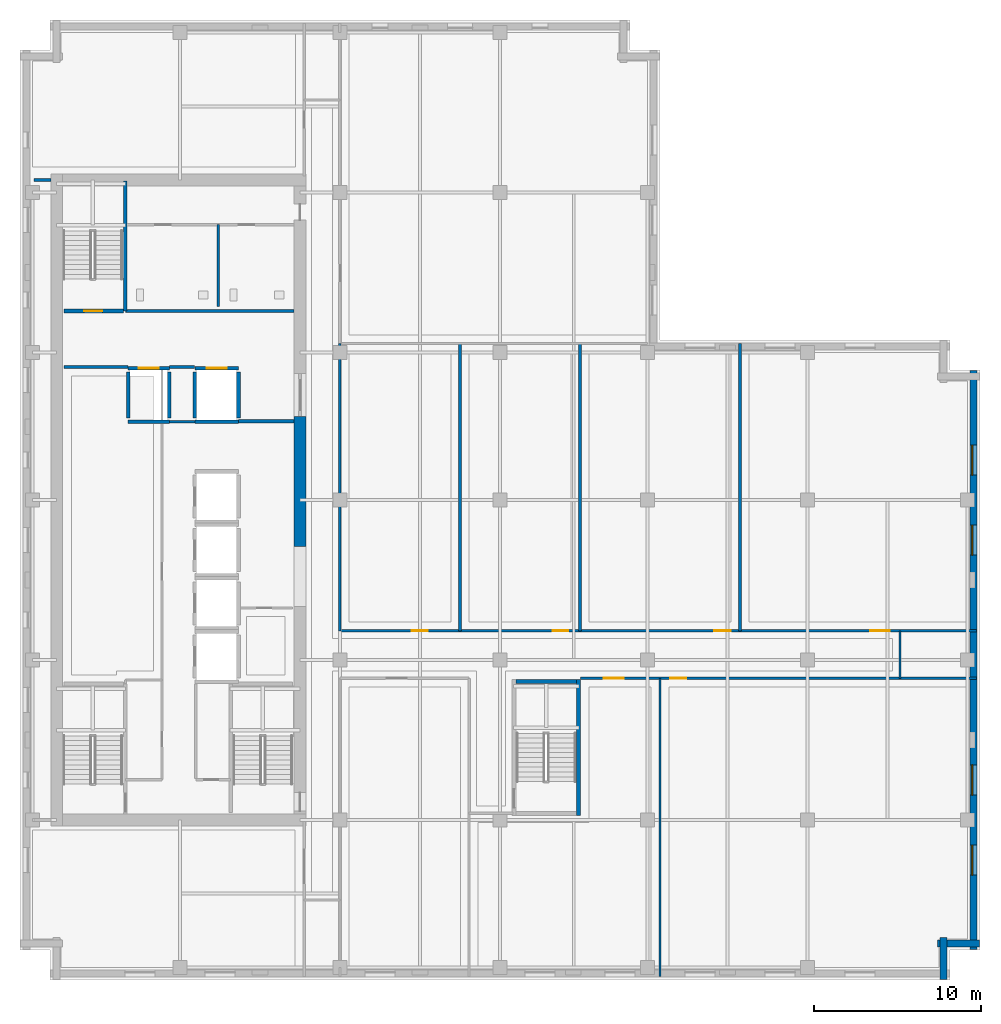
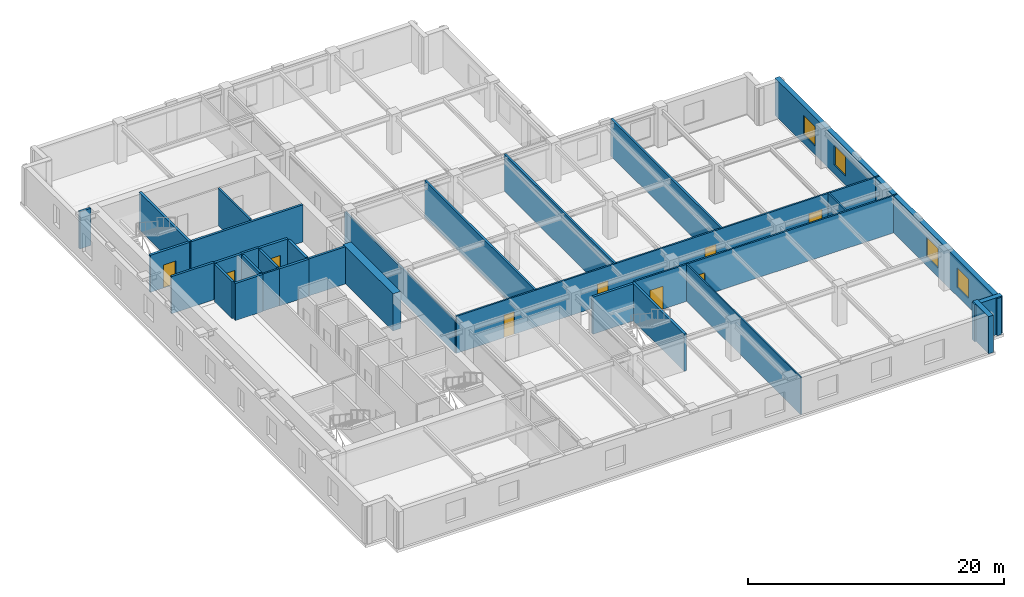
# One storey, part 5 of 11: 31 walls, 9 doors, 4 windows, 13 openings.
"""IFC4 building model written with IfcOpenShell, lengths in metres."""

from ifc_helpers import new_model, si_unit, direction, frame, frame_2d, origin, place, context, subcontext, project, spatial, rectangle, extrude, material, layer, layer_set, type_object, element, fill, save


model = new_model("IFC4")

# Units and contexts
model_context = context("Model", 3, precision=1e-05, world=origin(), true_north=direction((0.0, 1.0)))
body_context = subcontext(model_context, "Body", "Model", "MODEL_VIEW")
ifc_project = project(units=[si_unit("LENGTHUNIT", "METRE"), si_unit("AREAUNIT", "SQUARE_METRE"), si_unit("VOLUMEUNIT", "CUBIC_METRE"), si_unit("PLANEANGLEUNIT", "RADIAN"), si_unit("MASSUNIT", "GRAM", prefix="KILO")], contexts=[model_context])

# Site, building, storey
site_placement = place(None, origin())
site = spatial("IfcSite", under=ifc_project, at=site_placement, CompositionType="ELEMENT")
building_placement = place(site_placement, origin())
building = spatial("IfcBuilding", under=site, at=building_placement, Name="Norrvale University Quadrangle", CompositionType="ELEMENT")
storey_placement = place(building_placement, frame((0.0, 0.0, 202.800048828125)))
storey = spatial("IfcBuildingStorey", under=building, at=storey_placement, Name="L51", CompositionType="ELEMENT", Elevation=202.800048828125)

# Walls
ifc_material_1 = material(Name="Buff Norman Clay Brick Masonry", Category="masonry")
ifc_layer_1 = layer(ifc_material_1, 0.419921875, Name="Buff Norman Clay Brick Masonry")
ifc_layer_set_1 = layer_set([ifc_layer_1], Name="Buff Norman Clay Brick Masonry")
wall_type_1 = type_object("IfcWallType", Name="Wall Buff Brick 420", PredefinedType="SOLIDWALL", material=ifc_layer_set_1)
for number, where, z_axis, x_axis, name in (
    (1, (55.409912109375, 0.0400390625, 0.0), (0.0, 0.0, 1.0), (0.0, 1.0, 0.0), "Exterior Brick Facade Wall L51-02.1"),
    (2, (55.06005859375, 2.18994140625, 0.0), (0.0, 0.0, 1.0), (1.0, 0.0, 0.0), "Exterior Brick Facade Wall L51-03.1"),
):
    element("IfcWall", number, at=place(storey_placement, frame(where, z_axis=z_axis, x_axis=x_axis)), inside=storey, type_object=wall_type_1, Name=name, PredefinedType="SOLIDWALL", context=body_context, shape_type="SweptSolid", body=[
        extrude(rectangle(XDim=2.5, YDim=0.419921875, at=frame_2d((1.25, 0.0))), origin(), (0.0, 0.0, 1.0), 3.5400390625),
    ])

# Wall, openings, windows
wall_1_placement = place(storey_placement, frame((57.2099609375, 1.840087890625, 0.0), z_axis=(0.0, 0.0, 1.0), x_axis=(0.0, 1.0, 0.0)))
wall_1 = element("IfcWall", 3, at=wall_1_placement, inside=storey, type_object=wall_type_1, Name="Exterior Brick Facade Wall L51-04.1", PredefinedType="SOLIDWALL", context=body_context, shape_type="SweptSolid", body=[
    extrude(rectangle(XDim=34.719970703125, YDim=0.419921875, at=frame_2d((17.35986328125, 0.0))), origin(), (0.0, 0.0, 1.0), 3.5400390625),
])
opening_1_placement = place(wall_1_placement, frame((4.4599609375, 0.0, 0.85009765625)))
opening_1 = element("IfcOpeningElement", 4, at=opening_1_placement, cuts=wall_1, Name="Opening W01", PredefinedType="OPENING", context=body_context, shape_type="SweptSolid", body=[
    extrude(rectangle(XDim=1.800048828125, YDim=1.85009765625, at=frame_2d((0.89990234375, 0.925048828125))), frame((0.0, 0.221923828125, 0.0), z_axis=(0.0, -1.0, 0.0), x_axis=(1.0, 0.0, 0.0)), (0.0, 0.0, 1.0), 0.44384765625),
])
opening_2_placement = place(wall_1_placement, frame((9.260009765625, 0.0, 0.85009765625)))
opening_2 = element("IfcOpeningElement", 5, at=opening_2_placement, cuts=wall_1, Name="Opening W01", PredefinedType="OPENING", context=body_context, shape_type="SweptSolid", body=[
    extrude(rectangle(XDim=1.800048828125, YDim=1.85009765625, at=frame_2d((0.89990234375, 0.925048828125))), frame((0.0, 0.221923828125, 0.0), z_axis=(0.0, -1.0, 0.0), x_axis=(1.0, 0.0, 0.0)), (0.0, 0.0, 1.0), 0.44384765625),
])
opening_3_placement = place(wall_1_placement, frame((23.659912109375, 0.0, 0.85009765625)))
opening_3 = element("IfcOpeningElement", 6, at=opening_3_placement, cuts=wall_1, Name="Opening W01", PredefinedType="OPENING", context=body_context, shape_type="SweptSolid", body=[
    extrude(rectangle(XDim=1.800048828125, YDim=1.85009765625, at=frame_2d((0.89990234375, 0.925048828125))), frame((0.0, 0.221923828125, 0.0), z_axis=(0.0, -1.0, 0.0), x_axis=(1.0, 0.0, 0.0)), (0.0, 0.0, 1.0), 0.44384765625),
])
opening_4_placement = place(wall_1_placement, frame((28.4599609375, 0.0, 0.85009765625)))
opening_4 = element("IfcOpeningElement", 7, at=opening_4_placement, cuts=wall_1, Name="Opening W01", PredefinedType="OPENING", context=body_context, shape_type="SweptSolid", body=[
    extrude(rectangle(XDim=1.800048828125, YDim=1.85009765625, at=frame_2d((0.89990234375, 0.925048828125))), frame((0.0, 0.221923828125, 0.0), z_axis=(0.0, -1.0, 0.0), x_axis=(1.0, 0.0, 0.0)), (0.0, 0.0, 1.0), 0.44384765625),
])
ifc_material_2 = material(Name="Triple Low-E Argon Glazing", Category="glass")
window_type = type_object("IfcWindowType", Name="Window Academic 1800x2300", PartitioningType="DOUBLE_PANEL_VERTICAL", PredefinedType="WINDOW", material=ifc_material_2)
window_1_placement = place(opening_1_placement, origin())
window_1 = element("IfcWindow", 8, at=window_1_placement, inside=storey, type_object=window_type, Name="Window Academic 1800x2300 WIN-L51-E04-1-01", OverallHeight=1.85009765625, OverallWidth=1.800048828125, PartitioningType="DOUBLE_PANEL_VERTICAL", PredefinedType="WINDOW", context=body_context, shape_type="SweptSolid", body=[
    extrude(rectangle(XDim=1.800048828125, YDim=1.85009765625, at=frame_2d((0.89990234375, 0.925048828125))), frame((0.0, 0.110107421875, 0.0), z_axis=(0.0, -1.0, 0.0), x_axis=(1.0, 0.0, 0.0)), (0.0, 0.0, 1.0), 0.06005859375),
])
fill(opening_1, window_1)
window_2_placement = place(opening_2_placement, origin())
window_2 = element("IfcWindow", 9, at=window_2_placement, inside=storey, type_object=window_type, Name="Window Academic 1800x2300 WIN-L51-E04-1-02", OverallHeight=1.85009765625, OverallWidth=1.800048828125, PartitioningType="DOUBLE_PANEL_VERTICAL", PredefinedType="WINDOW", context=body_context, shape_type="SweptSolid", body=[
    extrude(rectangle(XDim=1.800048828125, YDim=1.85009765625, at=frame_2d((0.89990234375, 0.925048828125))), frame((0.0, 0.110107421875, 0.0), z_axis=(0.0, -1.0, 0.0), x_axis=(1.0, 0.0, 0.0)), (0.0, 0.0, 1.0), 0.06005859375),
])
fill(opening_2, window_2)
window_3_placement = place(opening_3_placement, origin())
window_3 = element("IfcWindow", 10, at=window_3_placement, inside=storey, type_object=window_type, Name="Window Academic 1800x2300 WIN-L51-E04-1-03", OverallHeight=1.85009765625, OverallWidth=1.800048828125, PartitioningType="DOUBLE_PANEL_VERTICAL", PredefinedType="WINDOW", context=body_context, shape_type="SweptSolid", body=[
    extrude(rectangle(XDim=1.800048828125, YDim=1.85009765625, at=frame_2d((0.89990234375, 0.925048828125))), frame((0.0, 0.110107421875, 0.0), z_axis=(0.0, -1.0, 0.0), x_axis=(1.0, 0.0, 0.0)), (0.0, 0.0, 1.0), 0.06005859375),
])
fill(opening_3, window_3)
window_4_placement = place(opening_4_placement, origin())
window_4 = element("IfcWindow", 11, at=window_4_placement, inside=storey, type_object=window_type, Name="Window Academic 1800x2300 WIN-L51-E04-1-04", OverallHeight=1.85009765625, OverallWidth=1.800048828125, PartitioningType="DOUBLE_PANEL_VERTICAL", PredefinedType="WINDOW", context=body_context, shape_type="SweptSolid", body=[
    extrude(rectangle(XDim=1.800048828125, YDim=1.85009765625, at=frame_2d((0.89990234375, 0.925048828125))), frame((0.0, 0.110107421875, 0.0), z_axis=(0.0, -1.0, 0.0), x_axis=(1.0, 0.0, 0.0)), (0.0, 0.0, 1.0), 0.06005859375),
])
fill(opening_4, window_4)

# Walls
ifc_material_3 = material(Name="Concrete C60/75", Category="concrete")
ifc_layer_2 = layer(ifc_material_3, 0.699951171875, Name="Concrete C60/75")
ifc_layer_set_2 = layer_set([ifc_layer_2], Name="Concrete C60/75")
wall_type_2 = type_object("IfcWallType", Name="Wall Core 700", PredefinedType="SHEAR", material=ifc_layer_set_2)
wall_2_placement = place(storey_placement, frame((16.800048828125, 26.0, 0.0), z_axis=(0.0, 0.0, 1.0), x_axis=(0.0, 1.0, 0.0)))
element("IfcWall", 12, at=wall_2_placement, inside=storey, type_object=wall_type_2, Name="Tower Core Shear Wall L51-E2", PredefinedType="SHEAR", context=body_context, shape_type="SweptSolid", body=[
    extrude(rectangle(XDim=7.800048828125, YDim=0.699951171875, at=frame_2d((3.89990234375, 0.0))), origin(), (0.0, 0.0, 1.0), 3.5400390625),
])
ifc_material_4 = material(Name="Standard Academic Gypsum Partition")
ifc_layer_3 = layer(ifc_material_4, 0.125, Name="Standard Academic Gypsum Partition")
ifc_layer_set_3 = layer_set([ifc_layer_3], Name="Standard Academic Gypsum Partition")
wall_type_3 = type_object("IfcWallType", Name="Wall Gypsum Academic 125", PredefinedType="PARTITIONING", material=ifc_layer_set_3)
wall_3_placement = place(storey_placement, frame((38.39990234375, 0.219970703125, 0.0), z_axis=(0.0, 0.0, 1.0), x_axis=(0.0, 1.0, 0.0)))
element("IfcWall", 13, at=wall_3_placement, inside=storey, type_object=wall_type_3, Name="Interior Partition WL-L51-SEP2", PredefinedType="PARTITIONING", context=body_context, shape_type="SweptSolid", body=[
    extrude(rectangle(XDim=17.880126953125, YDim=0.125, at=frame_2d((8.93994140625, 0.0))), origin(), (0.0, 0.0, 1.0), 3.5400390625),
])
ifc_material_5 = material(Name="Fire-Rated Gypsum Stud Partition")
ifc_layer_4 = layer(ifc_material_5, 0.14990234375, Name="Fire-Rated Gypsum Stud Partition")
ifc_layer_set_4 = layer_set([ifc_layer_4], Name="Fire-Rated Gypsum Stud Partition")
wall_type_4 = type_object("IfcWallType", Name="Wall Gypsum Corridor 150", PredefinedType="PARTITIONING", material=ifc_layer_set_4)
wall_4_placement = place(storey_placement, frame((8.965087890625, 33.489990234375, 0.0), z_axis=(0.0, 0.0, 1.0), x_axis=(1.0, 0.0, 0.0)))
element("IfcWall", 14, at=wall_4_placement, inside=storey, type_object=wall_type_4, Name="Interior Partition WL-L51-LL3", PredefinedType="PARTITIONING", context=body_context, shape_type="SweptSolid", body=[
    extrude(rectangle(XDim=1.52001953125, YDim=0.14990234375, at=frame_2d((0.760009765625, 0.0))), origin(), (0.0, 0.0, 1.0), 3.5400390625),
])
wall_5_placement = place(storey_placement, frame((52.800048828125, 18.10009765625, 0.0), z_axis=(0.0, 0.0, 1.0), x_axis=(0.0, 1.0, 0.0)))
element("IfcWall", 15, at=wall_5_placement, inside=storey, type_object=wall_type_4, Name="Interior Partition WL-L51-CESP-E", PredefinedType="PARTITIONING", context=body_context, shape_type="SweptSolid", body=[
    extrude(rectangle(XDim=2.849853515625, YDim=0.14990234375, at=frame_2d((1.4248046875, 0.0))), origin(), (0.0, 0.0, 1.0), 3.5400390625),
])

# Wall, openings, doors
wall_6_placement = place(storey_placement, frame((33.6201171875, 18.10009765625, 0.0), z_axis=(0.0, 0.0, 1.0), x_axis=(1.0, 0.0, 0.0)))
wall_6 = element("IfcWall", 16, at=wall_6_placement, inside=storey, type_object=wall_type_4, Name="Interior Partition WL-L51-SEW2", PredefinedType="PARTITIONING", context=body_context, shape_type="SweptSolid", body=[
    extrude(rectangle(XDim=23.759765625, YDim=0.14990234375, at=frame_2d((11.8798828125, 0.0))), origin(), (0.0, 0.0, 1.0), 3.5400390625),
])
opening_5_placement = place(wall_6_placement, frame((1.39990234375, 0.0, 0.0)))
opening_5 = element("IfcOpeningElement", 17, at=opening_5_placement, cuts=wall_6, Name="Opening D05", PredefinedType="OPENING", context=body_context, shape_type="SweptSolid", body=[
    extrude(rectangle(XDim=1.199951171875, YDim=2.199951171875, at=frame_2d((0.60009765625, 1.10009765625))), frame((0.0, 0.0869140625, 0.0), z_axis=(0.0, -1.0, 0.0), x_axis=(1.0, 0.0, 0.0)), (0.0, 0.0, 1.0), 0.173828125),
])
opening_6_placement = place(wall_6_placement, frame((5.39990234375, 0.0, 0.0)))
opening_6 = element("IfcOpeningElement", 18, at=opening_6_placement, cuts=wall_6, Name="Opening D07", PredefinedType="OPENING", context=body_context, shape_type="SweptSolid", body=[
    extrude(rectangle(XDim=0.949951171875, YDim=2.14990234375, at=frame_2d((0.47509765625, 1.074951171875))), frame((0.0, 0.0869140625, 0.0), z_axis=(0.0, -1.0, 0.0), x_axis=(1.0, 0.0, 0.0)), (0.0, 0.0, 1.0), 0.173828125),
])
ifc_material_6 = material(Name="Acoustic Oak Classroom Door", Category="wood")
door_type_1 = type_object("IfcDoorType", Name="Door Classroom 1200x2200", OperationType="NOTDEFINED", PredefinedType="DOOR", material=ifc_material_6)
door_1_placement = place(opening_5_placement, origin())
door_1 = element("IfcDoor", 19, at=door_1_placement, inside=storey, type_object=door_type_1, Name="Door Classroom 1200x2200 DR-L51-SE2", OperationType="SINGLE_SWING_RIGHT", OverallHeight=2.199951171875, OverallWidth=1.199951171875, PredefinedType="DOOR", context=body_context, shape_type="SweptSolid", body=[
    extrude(rectangle(XDim=1.199951171875, YDim=2.199951171875, at=frame_2d((0.60009765625, 1.10009765625))), frame((0.0, 0.02490234375, 0.0), z_axis=(0.0, -1.0, 0.0), x_axis=(1.0, 0.0, 0.0)), (0.0, 0.0, 1.0), 0.050048828125),
])
fill(opening_5, door_1)
ifc_material_7 = material(Name="Solid-Core Maple Door", Category="wood")
door_type_2 = type_object("IfcDoorType", Name="Door Office 950x2150", OperationType="NOTDEFINED", PredefinedType="DOOR", material=ifc_material_7)
door_2_placement = place(opening_6_placement, origin())
door_2 = element("IfcDoor", 20, at=door_2_placement, inside=storey, type_object=door_type_2, Name="Door Office 950x2150 DR-L51-SE3", OperationType="SINGLE_SWING_LEFT", OverallHeight=2.14990234375, OverallWidth=0.949951171875, PredefinedType="DOOR", context=body_context, shape_type="SweptSolid", body=[
    extrude(rectangle(XDim=0.949951171875, YDim=2.14990234375, at=frame_2d((0.47509765625, 1.074951171875))), frame((0.0, 0.02490234375, 0.0), z_axis=(0.0, -1.0, 0.0), x_axis=(1.0, 0.0, 0.0)), (0.0, 0.0, 1.0), 0.050048828125),
])
fill(opening_6, door_2)

wall_7_placement = place(storey_placement, frame((19.199951171875, 20.949951171875, 0.0), z_axis=(0.0, 0.0, 1.0), x_axis=(1.0, 0.0, 0.0)))
wall_7 = element("IfcWall", 21, at=wall_7_placement, inside=storey, type_object=wall_type_4, Name="Interior Partition WL-L51-MECW", PredefinedType="PARTITIONING", context=body_context, shape_type="SweptSolid", body=[
    extrude(rectangle(XDim=38.179931640625, YDim=0.14990234375, at=frame_2d((19.08984375, 0.0))), origin(), (0.0, 0.0, 1.0), 3.5400390625),
])
opening_7_placement = place(wall_7_placement, frame((4.300048828125, 0.0, 0.0)))
opening_7 = element("IfcOpeningElement", 22, at=opening_7_placement, cuts=wall_7, Name="Opening D07", PredefinedType="OPENING", context=body_context, shape_type="SweptSolid", body=[
    extrude(rectangle(XDim=0.949951171875, YDim=2.14990234375, at=frame_2d((0.47509765625, 1.074951171875))), frame((0.0, 0.0869140625, 0.0), z_axis=(0.0, -1.0, 0.0), x_axis=(1.0, 0.0, 0.0)), (0.0, 0.0, 1.0), 0.173828125),
])
opening_8_placement = place(wall_7_placement, frame((12.75, 0.0, 0.0)))
opening_8 = element("IfcOpeningElement", 23, at=opening_8_placement, cuts=wall_7, Name="Opening D07", PredefinedType="OPENING", context=body_context, shape_type="SweptSolid", body=[
    extrude(rectangle(XDim=0.949951171875, YDim=2.14990234375, at=frame_2d((0.47509765625, 1.074951171875))), frame((0.0, 0.0869140625, 0.0), z_axis=(0.0, -1.0, 0.0), x_axis=(1.0, 0.0, 0.0)), (0.0, 0.0, 1.0), 0.173828125),
])
opening_9_placement = place(wall_7_placement, frame((22.449951171875, 0.0, 0.0)))
opening_9 = element("IfcOpeningElement", 24, at=opening_9_placement, cuts=wall_7, Name="Opening D04", PredefinedType="OPENING", context=body_context, shape_type="SweptSolid", body=[
    extrude(rectangle(XDim=1.0, YDim=2.199951171875, at=frame_2d((0.5, 1.10009765625))), frame((0.0, 0.0869140625, 0.0), z_axis=(0.0, -1.0, 0.0), x_axis=(1.0, 0.0, 0.0)), (0.0, 0.0, 1.0), 0.173828125),
])
opening_10_placement = place(wall_7_placement, frame((31.800048828125, 0.0, 0.0)))
opening_10 = element("IfcOpeningElement", 25, at=opening_10_placement, cuts=wall_7, Name="Opening D05", PredefinedType="OPENING", context=body_context, shape_type="SweptSolid", body=[
    extrude(rectangle(XDim=1.199951171875, YDim=2.199951171875, at=frame_2d((0.60009765625, 1.10009765625))), frame((0.0, 0.0869140625, 0.0), z_axis=(0.0, -1.0, 0.0), x_axis=(1.0, 0.0, 0.0)), (0.0, 0.0, 1.0), 0.173828125),
])
door_3_placement = place(opening_10_placement, origin())
door_3 = element("IfcDoor", 26, at=door_3_placement, inside=storey, type_object=door_type_1, Name="Door Classroom 1200x2200 DR-L51-ME04", OperationType="SINGLE_SWING_RIGHT", OverallHeight=2.199951171875, OverallWidth=1.199951171875, PredefinedType="DOOR", context=body_context, shape_type="SweptSolid", body=[
    extrude(rectangle(XDim=1.199951171875, YDim=2.199951171875, at=frame_2d((0.60009765625, 1.10009765625))), frame((0.0, 0.02490234375, 0.0), z_axis=(0.0, -1.0, 0.0), x_axis=(1.0, 0.0, 0.0)), (0.0, 0.0, 1.0), 0.050048828125),
])
fill(opening_10, door_3)
ifc_material_8 = material(Name="Solid-Core Oak Fire Door", Category="wood")
door_type_3 = type_object("IfcDoorType", Name="Door Corridor 1000x2200", OperationType="NOTDEFINED", PredefinedType="DOOR", material=ifc_material_8)
door_4_placement = place(opening_9_placement, origin())
door_4 = element("IfcDoor", 27, at=door_4_placement, inside=storey, type_object=door_type_3, Name="Door Corridor 1000x2200 DR-L51-ME03", OperationType="SINGLE_SWING_LEFT", OverallHeight=2.199951171875, OverallWidth=1.0, PredefinedType="DOOR", context=body_context, shape_type="SweptSolid", body=[
    extrude(rectangle(XDim=1.0, YDim=2.199951171875, at=frame_2d((0.5, 1.10009765625))), frame((0.0, 0.02490234375, 0.0), z_axis=(0.0, -1.0, 0.0), x_axis=(1.0, 0.0, 0.0)), (0.0, 0.0, 1.0), 0.050048828125),
])
fill(opening_9, door_4)
door_5_placement = place(opening_7_placement, origin())
door_5 = element("IfcDoor", 28, at=door_5_placement, inside=storey, type_object=door_type_2, Name="Door Office 950x2150 DR-L51-ME01", OperationType="SINGLE_SWING_LEFT", OverallHeight=2.14990234375, OverallWidth=0.949951171875, PredefinedType="DOOR", context=body_context, shape_type="SweptSolid", body=[
    extrude(rectangle(XDim=0.949951171875, YDim=2.14990234375, at=frame_2d((0.47509765625, 1.074951171875))), frame((0.0, 0.02490234375, 0.0), z_axis=(0.0, -1.0, 0.0), x_axis=(1.0, 0.0, 0.0)), (0.0, 0.0, 1.0), 0.050048828125),
])
fill(opening_7, door_5)
door_6_placement = place(opening_8_placement, origin())
door_6 = element("IfcDoor", 29, at=door_6_placement, inside=storey, type_object=door_type_2, Name="Door Office 950x2150 DR-L51-ME02", OperationType="SINGLE_SWING_RIGHT", OverallHeight=2.14990234375, OverallWidth=0.949951171875, PredefinedType="DOOR", context=body_context, shape_type="SweptSolid", body=[
    extrude(rectangle(XDim=0.949951171875, YDim=2.14990234375, at=frame_2d((0.47509765625, 1.074951171875))), frame((0.0, 0.02490234375, 0.0), z_axis=(0.0, -1.0, 0.0), x_axis=(1.0, 0.0, 0.0)), (0.0, 0.0, 1.0), 0.050048828125),
])
fill(opening_8, door_6)

# Walls
wall_8_placement = place(storey_placement, frame((19.199951171875, 20.949951171875, 0.0), z_axis=(0.0, 0.0, 1.0), x_axis=(0.0, 1.0, 0.0)))
element("IfcWall", 30, at=wall_8_placement, inside=storey, type_object=wall_type_4, Name="Interior Partition WL-L51-ME-W", PredefinedType="PARTITIONING", context=body_context, shape_type="SweptSolid", body=[
    extrude(rectangle(XDim=17.22998046875, YDim=0.14990234375, at=frame_2d((8.614990234375, 0.0))), origin(), (0.0, 0.0, 1.0), 3.071044921875),
])
ifc_material_9 = material(Name="Acoustic Double-Stud Gypsum Partition")
ifc_layer_5 = layer(ifc_material_9, 0.179931640625, Name="Acoustic Double-Stud Gypsum Partition")
ifc_layer_set_5 = layer_set([ifc_layer_5], Name="Acoustic Double-Stud Gypsum Partition")
wall_type_5 = type_object("IfcWallType", Name="Wall Gypsum Lecture 180", PredefinedType="PARTITIONING", material=ifc_layer_set_5)
for number, where, z_axis, x_axis, name in (
    (31, (26.39990234375, 20.949951171875, 0.0), (0.0, 0.0, 1.0), (0.0, 1.0, 0.0), "Interior Partition WL-L51-MEP01"),
    (32, (33.60009765625, 20.949951171875, 0.0), (0.0, 0.0, 1.0), (0.0, 1.0, 0.0), "Interior Partition WL-L51-MEP02"),
    (33, (43.199951171875, 20.949951171875, 0.0), (0.0, 0.0, 1.0), (0.0, 1.0, 0.0), "Interior Partition WL-L51-MEP03"),
):
    element("IfcWall", number, at=place(storey_placement, frame(where, z_axis=z_axis, x_axis=x_axis)), inside=storey, type_object=wall_type_5, Name=name, PredefinedType="PARTITIONING", context=body_context, shape_type="SweptSolid", body=[
        extrude(rectangle(XDim=17.22998046875, YDim=0.179931640625, at=frame_2d((8.614990234375, 0.0))), origin(), (0.0, 0.0, 1.0), 3.5400390625),
    ])
ifc_material_10 = material(Name="Sanitary Chase Gypsum Partition")
ifc_layer_6 = layer(ifc_material_10, 0.1650390625, Name="Sanitary Chase Gypsum Partition")
ifc_layer_set_6 = layer_set([ifc_layer_6], Name="Sanitary Chase Gypsum Partition")
wall_type_6 = type_object("IfcWallType", Name="Wall Gypsum Sanitary 165", PredefinedType="PLUMBINGWALL", material=ifc_layer_set_6)
wall_9_placement = place(storey_placement, frame((11.89990234375, 40.39990234375, 0.0), z_axis=(0.0, 0.0, 1.0), x_axis=(0.0, 1.0, 0.0)))
element("IfcWall", 34, at=wall_9_placement, inside=storey, type_object=wall_type_6, Name="Interior Partition WL-L51-WCM1", PredefinedType="PLUMBINGWALL", context=body_context, shape_type="SweptSolid", body=[
    extrude(rectangle(XDim=4.920166015625, YDim=0.1650390625, at=frame_2d((2.4599609375, 0.0))), origin(), (0.0, 0.0, 1.0), 3.5400390625),
])
ifc_material_11 = material(Name="Concrete Blockwork 20 MPa Rated Wall", Category="masonry")
ifc_layer_7 = layer(ifc_material_11, 0.199951171875, Name="Concrete Blockwork 20 MPa Rated Wall")
ifc_layer_set_7 = layer_set([ifc_layer_7], Name="Concrete Blockwork 20 MPa Rated Wall")
wall_type_7 = type_object("IfcWallType", Name="Wall Lobby 200", PredefinedType="SOLIDWALL", material=ifc_layer_set_7)
wall_10_placement = place(storey_placement, frame((2.64990234375, 36.780029296875, 0.0), z_axis=(0.0, 0.0, 1.0), x_axis=(1.0, 0.0, 0.0)))
element("IfcWall", 35, at=wall_10_placement, inside=storey, type_object=wall_type_7, Name="Interior Partition WL-L51-FF1", PredefinedType="SOLIDWALL", context=body_context, shape_type="SweptSolid", body=[
    extrude(rectangle(XDim=3.830078125, YDim=0.199951171875, at=frame_2d((1.9150390625, 0.0))), origin(), (0.0, 0.0, 1.0), 3.5400390625),
])
wall_11_placement = place(storey_placement, frame((8.969970703125, 36.780029296875, 0.0), z_axis=(0.0, 0.0, 1.0), x_axis=(1.0, 0.0, 0.0)))
element("IfcWall", 36, at=wall_11_placement, inside=storey, type_object=wall_type_7, Name="Interior Partition WL-L51-FF2", PredefinedType="SOLIDWALL", context=body_context, shape_type="SweptSolid", body=[
    extrude(rectangle(XDim=1.510009765625, YDim=0.199951171875, at=frame_2d((0.7548828125, 0.0))), origin(), (0.0, 0.0, 1.0), 3.5400390625),
])
wall_12_placement = place(storey_placement, frame((13.1201171875, 33.52001953125, 0.0), z_axis=(0.0, 0.0, 1.0), x_axis=(1.0, 0.0, 0.0)))
element("IfcWall", 37, at=wall_12_placement, inside=storey, type_object=wall_type_7, Name="Interior Partition WL-L51-FF3", PredefinedType="SOLIDWALL", context=body_context, shape_type="SweptSolid", body=[
    extrude(rectangle(XDim=3.329833984375, YDim=0.199951171875, at=frame_2d((1.6650390625, 0.0))), origin(), (0.0, 0.0, 1.0), 3.5400390625),
])
wall_13_placement = place(storey_placement, frame((6.320068359375, 40.139892578125, 0.0), z_axis=(0.0, 0.0, 1.0), x_axis=(1.0, 0.0, 0.0)))
element("IfcWall", 38, at=wall_13_placement, inside=storey, type_object=wall_type_7, Name="Interior Partition WL-L51-FF4", PredefinedType="SOLIDWALL", context=body_context, shape_type="SweptSolid", body=[
    extrude(rectangle(XDim=10.1298828125, YDim=0.199951171875, at=frame_2d((5.06494140625, 0.0))), origin(), (0.0, 0.0, 1.0), 3.5400390625),
])
wall_14_placement = place(storey_placement, frame((0.85009765625, 48.0, 0.0), z_axis=(0.0, 0.0, 1.0), x_axis=(1.0, 0.0, 0.0)))
element("IfcWall", 39, at=wall_14_placement, inside=storey, type_object=wall_type_7, Name="Interior Partition WL-L51-CWRET-N", PredefinedType="SOLIDWALL", context=body_context, shape_type="SweptSolid", body=[
    extrude(rectangle(XDim=0.994873046875, YDim=0.199951171875, at=frame_2d((0.49755859375, 0.0))), origin(), (0.0, 0.0, 1.0), 3.5400390625),
])

# Wall, opening, door
ifc_material_12 = material(Name="Concrete Blockwork 20 MPa Fire Shaft", Category="masonry")
ifc_layer_8 = layer(ifc_material_12, 0.219970703125, Name="Concrete Blockwork 20 MPa Fire Shaft")
ifc_layer_set_8 = layer_set([ifc_layer_8], Name="Concrete Blockwork 20 MPa Fire Shaft")
wall_type_8 = type_object("IfcWallType", Name="Wall Shaft 220", PredefinedType="SOLIDWALL", material=ifc_layer_set_8)
wall_15_placement = place(storey_placement, frame((2.64990234375, 40.139892578125, 0.0), z_axis=(0.0, 0.0, 1.0), x_axis=(1.0, 0.0, 0.0)))
wall_15 = element("IfcWall", 40, at=wall_15_placement, inside=storey, type_object=wall_type_8, Name="Stair ST-02 South Shaft Wall L51", PredefinedType="SOLIDWALL", context=body_context, shape_type="SweptSolid", body=[
    extrude(rectangle(XDim=3.550048828125, YDim=0.219970703125, at=frame_2d((1.77490234375, 0.0))), origin(), (0.0, 0.0, 1.0), 3.5400390625),
])
opening_11_placement = place(wall_15_placement, frame((1.199951171875, 0.0, 0.0)))
opening_11 = element("IfcOpeningElement", 41, at=opening_11_placement, cuts=wall_15, Name="Opening D02", PredefinedType="OPENING", context=body_context, shape_type="SweptSolid", body=[
    extrude(rectangle(XDim=1.10009765625, YDim=2.199951171875, at=frame_2d((0.550048828125, 1.10009765625))), frame((0.0, 0.1220703125, 0.0), z_axis=(0.0, -1.0, 0.0), x_axis=(1.0, 0.0, 0.0)), (0.0, 0.0, 1.0), 0.243896484375),
])
ifc_material_13 = material(Name="Hollow Steel 350W Fire Door", Category="steel")
door_type_4 = type_object("IfcDoorType", Name="Door Stair Exit 1100x2200", OperationType="NOTDEFINED", PredefinedType="DOOR", material=ifc_material_13)
door_7_placement = place(opening_11_placement, origin())
door_7 = element("IfcDoor", 42, at=door_7_placement, inside=storey, type_object=door_type_4, Name="Door Stair Exit 1100x2200 DR-L51-ST02", OperationType="SINGLE_SWING_LEFT", OverallHeight=2.199951171875, OverallWidth=1.10009765625, PredefinedType="DOOR", context=body_context, shape_type="SweptSolid", body=[
    extrude(rectangle(XDim=1.10009765625, YDim=2.199951171875, at=frame_2d((0.550048828125, 1.10009765625))), frame((0.0, 0.02490234375, 0.0), z_axis=(0.0, -1.0, 0.0), x_axis=(1.0, 0.0, 0.0)), (0.0, 0.0, 1.0), 0.050048828125),
])
fill(opening_11, door_7)

# Walls
wall_16_placement = place(storey_placement, frame((6.31005859375, 40.139892578125, 0.0), z_axis=(0.0, 0.0, 1.0), x_axis=(0.0, 1.0, 0.0)))
element("IfcWall", 43, at=wall_16_placement, inside=storey, type_object=wall_type_8, Name="Stair ST-02 East Shaft Wall L51", PredefinedType="SOLIDWALL", context=body_context, shape_type="SweptSolid", body=[
    extrude(rectangle(XDim=7.81005859375, YDim=0.219970703125, at=frame_2d((3.905029296875, 0.0))), origin(), (0.0, 0.0, 1.0), 3.5400390625),
])
wall_17_placement = place(storey_placement, frame((33.510009765625, 9.8798828125, 0.0), z_axis=(0.0, 0.0, 1.0), x_axis=(0.0, 1.0, 0.0)))
element("IfcWall", 44, at=wall_17_placement, inside=storey, type_object=wall_type_8, Name="Stair ST-04 East Shaft Wall L51", PredefinedType="SOLIDWALL", context=body_context, shape_type="SweptSolid", body=[
    extrude(rectangle(XDim=8.14013671875, YDim=0.219970703125, at=frame_2d((4.070068359375, 0.0))), origin(), (0.0, 0.0, 1.0), 3.5400390625),
])
wall_18_placement = place(storey_placement, frame((29.75, 17.909912109375, 0.0), z_axis=(0.0, 0.0, 1.0), x_axis=(1.0, 0.0, 0.0)))
element("IfcWall", 45, at=wall_18_placement, inside=storey, type_object=wall_type_8, Name="Stair ST-04 North Shaft Wall L51", PredefinedType="SOLIDWALL", context=body_context, shape_type="SweptSolid", body=[
    extrude(rectangle(XDim=3.64990234375, YDim=0.219970703125, at=frame_2d((1.824951171875, 0.0))), origin(), (0.0, 0.0, 1.0), 3.5400390625),
])
for number, where, z_axis, x_axis, name in (
    (46, (6.489990234375, 33.7099609375, 0.0), (0.0, 0.0, 1.0), (0.0, 1.0, 0.0), "Hoistway FFL-01 West Wall L51"),
    (47, (8.9599609375, 33.7099609375, 0.0), (0.0, 0.0, 1.0), (0.0, 1.0, 0.0), "Hoistway FFL-01 East Wall L51"),
):
    element("IfcWall", number, at=place(storey_placement, frame(where, z_axis=z_axis, x_axis=x_axis)), inside=storey, type_object=wall_type_8, Name=name, PredefinedType="SOLIDWALL", context=body_context, shape_type="SweptSolid", body=[
        extrude(rectangle(XDim=2.780029296875, YDim=0.219970703125, at=frame_2d((1.39013671875, 0.0))), origin(), (0.0, 0.0, 1.0), 3.5400390625),
    ])
wall_19_placement = place(storey_placement, frame((6.489990234375, 33.489990234375, 0.0), z_axis=(0.0, 0.0, 1.0), x_axis=(1.0, 0.0, 0.0)))
element("IfcWall", 48, at=wall_19_placement, inside=storey, type_object=wall_type_8, Name="Hoistway FFL-01 South Wall L51", PredefinedType="SOLIDWALL", context=body_context, shape_type="SweptSolid", body=[
    extrude(rectangle(XDim=2.469970703125, YDim=0.219970703125, at=frame_2d((1.23486328125, 0.0))), origin(), (0.0, 0.0, 1.0), 3.5400390625),
])

# Wall, opening, door
wall_20_placement = place(storey_placement, frame((6.489990234375, 36.7099609375, 0.0), z_axis=(0.0, 0.0, 1.0), x_axis=(1.0, 0.0, 0.0)))
wall_20 = element("IfcWall", 49, at=wall_20_placement, inside=storey, type_object=wall_type_8, Name="Hoistway FFL-01 North Wall L51", PredefinedType="SOLIDWALL", context=body_context, shape_type="SweptSolid", body=[
    extrude(rectangle(XDim=2.469970703125, YDim=0.219970703125, at=frame_2d((1.23486328125, 0.0))), origin(), (0.0, 0.0, 1.0), 3.5400390625),
])
opening_12_placement = place(wall_20_placement, frame((0.635009765625, 0.0, 0.0)))
opening_12 = element("IfcOpeningElement", 50, at=opening_12_placement, cuts=wall_20, Name="Opening LD2", PredefinedType="OPENING", context=body_context, shape_type="SweptSolid", body=[
    extrude(rectangle(XDim=1.199951171875, YDim=2.199951171875, at=frame_2d((0.60009765625, 1.10009765625))), frame((0.0, 0.1220703125, 0.0), z_axis=(0.0, -1.0, 0.0), x_axis=(1.0, 0.0, 0.0)), (0.0, 0.0, 1.0), 0.243896484375),
])
ifc_material_14 = material(Name="Stainless Steel 316L Firefighter Lift Door", Category="steel")
door_type_5 = type_object("IfcDoorType", Name="Door Fire Lift 1200x2200", OperationType="DOUBLE_DOOR_SLIDING", PredefinedType="DOOR", material=ifc_material_14)
door_8_placement = place(opening_12_placement, origin())
door_8 = element("IfcDoor", 51, at=door_8_placement, inside=storey, type_object=door_type_5, Name="Elevator Landing Door DR-L51-FFL-01", OperationType="DOUBLE_DOOR_SLIDING", OverallHeight=2.199951171875, OverallWidth=1.199951171875, PredefinedType="DOOR", context=body_context, shape_type="SweptSolid", body=[
    extrude(rectangle(XDim=1.199951171875, YDim=2.199951171875, at=frame_2d((0.60009765625, 1.10009765625))), frame((0.0, 0.02490234375, 0.0), z_axis=(0.0, -1.0, 0.0), x_axis=(1.0, 0.0, 0.0)), (0.0, 0.0, 1.0), 0.050048828125),
])
fill(opening_12, door_8)

# Walls
for number, where, z_axis, x_axis, name in (
    (52, (10.489990234375, 33.7099609375, 0.0), (0.0, 0.0, 1.0), (0.0, 1.0, 0.0), "Hoistway FFL-02 West Wall L51"),
    (53, (13.110107421875, 33.7099609375, 0.0), (0.0, 0.0, 1.0), (0.0, 1.0, 0.0), "Hoistway FFL-02 East Wall L51"),
):
    element("IfcWall", number, at=place(storey_placement, frame(where, z_axis=z_axis, x_axis=x_axis)), inside=storey, type_object=wall_type_8, Name=name, PredefinedType="SOLIDWALL", context=body_context, shape_type="SweptSolid", body=[
        extrude(rectangle(XDim=2.780029296875, YDim=0.219970703125, at=frame_2d((1.39013671875, 0.0))), origin(), (0.0, 0.0, 1.0), 3.5400390625),
    ])
wall_21_placement = place(storey_placement, frame((10.489990234375, 33.489990234375, 0.0), z_axis=(0.0, 0.0, 1.0), x_axis=(1.0, 0.0, 0.0)))
element("IfcWall", 54, at=wall_21_placement, inside=storey, type_object=wall_type_8, Name="Hoistway FFL-02 South Wall L51", PredefinedType="SOLIDWALL", context=body_context, shape_type="SweptSolid", body=[
    extrude(rectangle(XDim=2.6201171875, YDim=0.219970703125, at=frame_2d((1.31005859375, 0.0))), origin(), (0.0, 0.0, 1.0), 3.5400390625),
])

# Wall, opening, door
wall_22_placement = place(storey_placement, frame((10.489990234375, 36.7099609375, 0.0), z_axis=(0.0, 0.0, 1.0), x_axis=(1.0, 0.0, 0.0)))
wall_22 = element("IfcWall", 55, at=wall_22_placement, inside=storey, type_object=wall_type_8, Name="Hoistway FFL-02 North Wall L51", PredefinedType="SOLIDWALL", context=body_context, shape_type="SweptSolid", body=[
    extrude(rectangle(XDim=2.6201171875, YDim=0.219970703125, at=frame_2d((1.31005859375, 0.0))), origin(), (0.0, 0.0, 1.0), 3.5400390625),
])
opening_13_placement = place(wall_22_placement, frame((0.7099609375, 0.0, 0.0)))
opening_13 = element("IfcOpeningElement", 56, at=opening_13_placement, cuts=wall_22, Name="Opening LD2", PredefinedType="OPENING", context=body_context, shape_type="SweptSolid", body=[
    extrude(rectangle(XDim=1.199951171875, YDim=2.199951171875, at=frame_2d((0.60009765625, 1.10009765625))), frame((0.0, 0.1220703125, 0.0), z_axis=(0.0, -1.0, 0.0), x_axis=(1.0, 0.0, 0.0)), (0.0, 0.0, 1.0), 0.243896484375),
])
door_9_placement = place(opening_13_placement, origin())
door_9 = element("IfcDoor", 57, at=door_9_placement, inside=storey, type_object=door_type_5, Name="Elevator Landing Door DR-L51-FFL-02", OperationType="DOUBLE_DOOR_SLIDING", OverallHeight=2.199951171875, OverallWidth=1.199951171875, PredefinedType="DOOR", context=body_context, shape_type="SweptSolid", body=[
    extrude(rectangle(XDim=1.199951171875, YDim=2.199951171875, at=frame_2d((0.60009765625, 1.10009765625))), frame((0.0, 0.02490234375, 0.0), z_axis=(0.0, -1.0, 0.0), x_axis=(1.0, 0.0, 0.0)), (0.0, 0.0, 1.0), 0.050048828125),
])
fill(opening_13, door_9)

save(model, "model.ifc")
